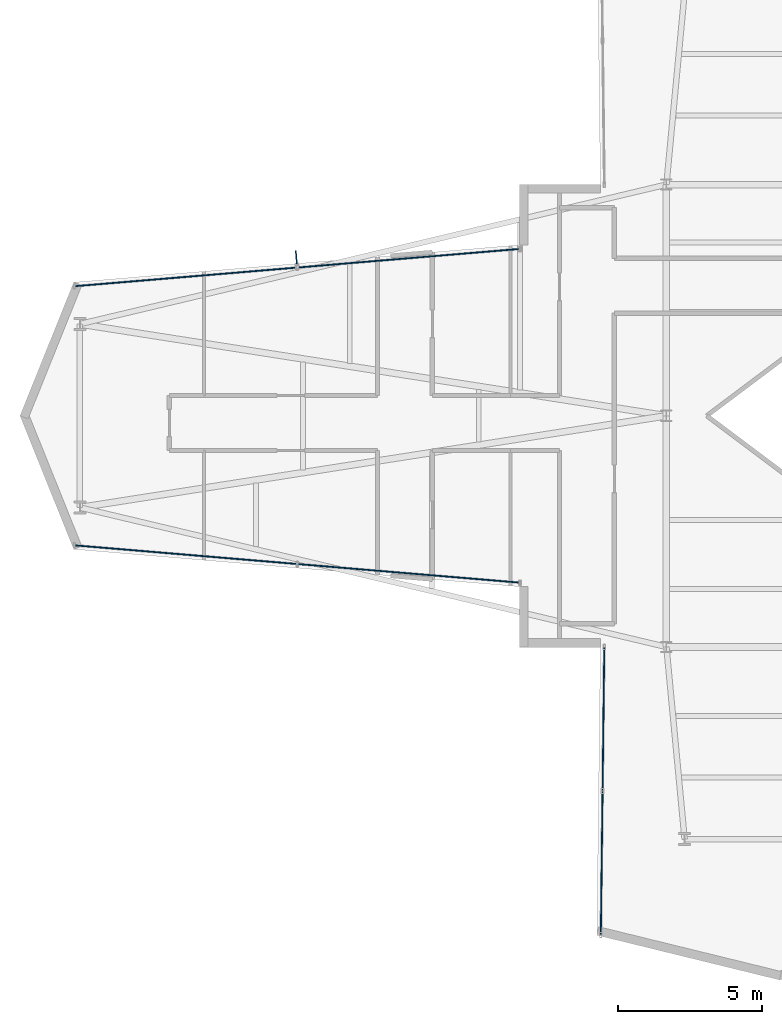
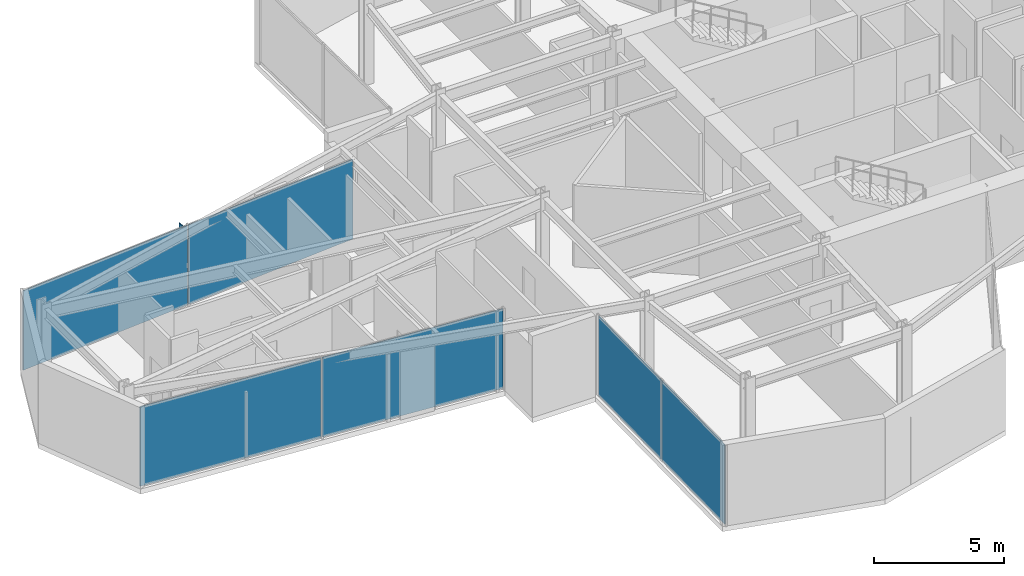
# One storey, part 20 of 26: 7 plates, 3 elements without a shape of their own.
"""IFC4 building model written with IfcOpenShell, lengths in metres."""

import ifcopenshell
import ifcopenshell.guid

model = None  # the IFC model being written
_history = None  # IfcOwnerHistory: only IFC2X3 demands one
_inside = {}  # id of a spatial element -> (the spatial element, [elements in it])
_under = {}  # id of a project, library or spatial element -> (it, [spatial elements below it])
_declared = {}  # id of a project -> (the project, [libraries it declares])
_typed = {}  # id of a type object -> (the type object, [elements of that type])
_made_of = {}  # id of a material, layer set ... -> (it, [elements and type objects made of it])


def new_model(schema):
    """Start an empty IFC model of exactly this schema.

    Asked for "IFC4X3", IfcOpenShell would pick the latest addendum, in which some entities
    have other attributes; the version numbers below select the first issue.
    IFC2X3 requires an IfcOwnerHistory on every rooted entity: one is made here for all.
    """
    global model, _history
    if schema == "IFC4X3":
        model = ifcopenshell.file(schema_version=(4, 3, 0, 0))
    else:
        model = ifcopenshell.file(schema=schema)
    _inside.clear()
    _under.clear()
    _declared.clear()
    _typed.clear()
    _made_of.clear()
    _history = None
    if model.schema == "IFC2X3":
        org = make("IfcOrganization", Name="unknown")
        user = make(
            "IfcPersonAndOrganization",
            ThePerson=make("IfcPerson", FamilyName="unknown"),
            TheOrganization=org,
        )
        app = make(
            "IfcApplication",
            ApplicationDeveloper=org,
            Version="unknown",
            ApplicationFullName="unknown",
            ApplicationIdentifier="unknown",
        )
        _history = make(
            "IfcOwnerHistory",
            OwningUser=user,
            OwningApplication=app,
            ChangeAction="ADDED",
            CreationDate=0,
        )
    return model


def make(cls, **values):
    """One entity of the class cls with the attributes given. An attribute that is None is left unset."""
    return model.create_entity(
        cls, **{name: value for name, value in values.items() if value is not None}
    )


def rooted(cls, **values):
    """An entity with a GlobalId (a new one), such as an element, a storey or a relation."""
    return make(cls, GlobalId=ifcopenshell.guid.new(), OwnerHistory=_history, **values)


def si_unit(unit_type, name, prefix=None):
    """IfcSIUnit, for example si_unit("LENGTHUNIT", "METRE", prefix="MILLI")."""
    return make("IfcSIUnit", UnitType=unit_type, Prefix=prefix, Name=name)


def assignment(units):
    """IfcUnitAssignment: the units of a project."""
    return None if units is None else make("IfcUnitAssignment", Units=units)


def point(xyz):
    """IfcCartesianPoint."""
    return None if xyz is None else make("IfcCartesianPoint", Coordinates=xyz)


def direction(xyz):
    """IfcDirection."""
    return None if xyz is None else make("IfcDirection", DirectionRatios=xyz)


def frame(location, z_axis=None, x_axis=None):
    """IfcAxis2Placement3D, a coordinate frame: its origin and axes. An axis left out is left unset."""
    return make(
        "IfcAxis2Placement3D",
        Location=point(location),
        Axis=direction(z_axis),
        RefDirection=direction(x_axis),
    )


def frame_2d(location, x_axis=None):
    """IfcAxis2Placement2D, a coordinate frame in the plane: its origin and x axis."""
    return make(
        "IfcAxis2Placement2D", Location=point(location), RefDirection=direction(x_axis)
    )


def origin():
    """The frame at (0, 0, 0) with its axes left unset."""
    return frame((0.0, 0.0, 0.0))


def origin_2d():
    """The frame at (0, 0) in the plane with its x axis left unset."""
    return frame_2d((0.0, 0.0))


def place(relative_to, where):
    """IfcLocalPlacement: puts the frame where relative to a parent placement (None: the world)."""
    return make(
        "IfcLocalPlacement", PlacementRelTo=relative_to, RelativePlacement=where
    )


def context(
    kind, dimensions, precision=None, world=None, true_north=None, identifier=None
):
    """IfcGeometricRepresentationContext, for example the 3D "Model" context."""
    return make(
        "IfcGeometricRepresentationContext",
        ContextIdentifier=identifier,
        ContextType=kind,
        CoordinateSpaceDimension=dimensions,
        Precision=precision,
        WorldCoordinateSystem=world,
        TrueNorth=true_north,
    )


def subcontext(parent, identifier, kind, view, scale=None):
    """IfcGeometricRepresentationSubContext, for example "Body" below "Model"."""
    return make(
        "IfcGeometricRepresentationSubContext",
        ContextIdentifier=identifier,
        ContextType=kind,
        ParentContext=parent,
        TargetScale=scale,
        TargetView=view,
    )


def project(units=None, contexts=None):
    """IfcProject with its units and contexts."""
    return rooted(
        "IfcProject",
        Name="project",
        RepresentationContexts=contexts,
        UnitsInContext=assignment(units),
    )


def spatial(cls, under=None, at=None, **own):
    """A site, building, storey or space (cls), placed at a placement, below another one or the project."""
    s = rooted(cls, ObjectPlacement=at, **own)
    if under is not None:
        _under.setdefault(under.id(), (under, []))[1].append(s)
    return s


def profile(cls, at=None, kind="AREA", **sizes):
    """A parametric profile (cls). Its sizes go by their IFC names, for example OverallWidth=200.0."""
    return make(cls, ProfileType=kind, Position=at, **sizes)


def rectangle(**sizes):
    """IfcRectangleProfileDef."""
    return profile("IfcRectangleProfileDef", **sizes)


def extrude(swept, where, along, depth):
    """IfcExtrudedAreaSolid: the profile swept, set in the frame where, extruded along a direction by depth."""
    return make(
        "IfcExtrudedAreaSolid",
        SweptArea=swept,
        Position=where,
        ExtrudedDirection=direction(along),
        Depth=depth,
    )


def shape(context_of_items, identifier, shape_type, items):
    """IfcShapeRepresentation: the items that make up one representation, for example the "Body"."""
    return make(
        "IfcShapeRepresentation",
        ContextOfItems=context_of_items,
        RepresentationIdentifier=identifier,
        RepresentationType=shape_type,
        Items=items,
    )


def material(Name=None, Category=None):
    """IfcMaterial."""
    return make("IfcMaterial", Name=Name, Category=Category)


def layer(
    of_material, thickness, ventilated=None, Name=None, Category=None, Priority=None
):
    """IfcMaterialLayer: one layer of a wall or slab, of a material (None: an air gap)."""
    return make(
        "IfcMaterialLayer",
        Material=of_material,
        LayerThickness=thickness,
        IsVentilated=ventilated,
        Name=Name,
        Category=Category,
        Priority=Priority,
    )


def layer_set(layers, Name=None):
    """IfcMaterialLayerSet."""
    return make("IfcMaterialLayerSet", MaterialLayers=layers, LayerSetName=Name)


def made_of(thing, what):
    """Note that an element or type object is made of a material, layer set ...; save() writes the relation."""
    if what is not None:
        _made_of.setdefault(what.id(), (what, []))[1].append(thing)
    return thing


def type_object(cls, material=None, **own):
    """A type object (cls), such as IfcWallType, which elements share."""
    return made_of(rooted(cls, **own), material)


def element(
    cls,
    number,
    at=None,
    inside=None,
    cuts=None,
    type_object=None,
    material=None,
    context=None,
    identifier="Body",
    shape_type=None,
    held_by="IfcProductDefinitionShape",
    body=None,
    shapes=None,
    **own,
):
    """One element of the class cls, such as IfcWall. Its Tag is "e" and its number.

    at: its placement. inside: the storey or other place that contains it. cuts: it is an
    opening in that element (IfcRelVoidsElement). A single representation is given by context,
    identifier, shape_type and body (its items); several are given by shapes. held_by: the class
    of the entity that holds the representations. save() writes the other relations.
    """
    e = rooted(cls, Tag="e%d" % number, ObjectPlacement=at, **own)
    if body is not None:
        shapes = [shape(context, identifier, shape_type, body)]
    if shapes is not None:
        e.Representation = make(held_by, Representations=shapes)
    if inside is not None:
        _inside.setdefault(inside.id(), (inside, []))[1].append(e)
    if cuts is not None:
        rooted(
            "IfcRelVoidsElement", RelatingBuildingElement=cuts, RelatedOpeningElement=e
        )
    if type_object is not None:
        _typed.setdefault(type_object.id(), (type_object, []))[1].append(e)
    return made_of(e, material)


def aggregate(whole, parts):
    """IfcRelAggregates: a whole, such as a stair, and the parts it consists of."""
    return rooted("IfcRelAggregates", RelatingObject=whole, RelatedObjects=parts)


def save(model, path):
    """Write the relations noted so far, then the file.

    IfcRelAggregates (storeys below a building ...), IfcRelContainedInSpatialStructure (elements
    in a storey), IfcRelDefinesByType, IfcRelAssociatesMaterial and IfcRelDeclares: one each for
    every whole, place, type object, material and project.
    """
    for whole, parts in _under.values():
        aggregate(whole, parts)
    for where, things in _inside.values():
        rooted(
            "IfcRelContainedInSpatialStructure",
            RelatedElements=things,
            RelatingStructure=where,
        )
    for kind, things in _typed.values():
        rooted("IfcRelDefinesByType", RelatedObjects=things, RelatingType=kind)
    for what, things in _made_of.values():
        rooted("IfcRelAssociatesMaterial", RelatedObjects=things, RelatingMaterial=what)
    for by, libraries in _declared.values():
        rooted("IfcRelDeclares", RelatingContext=by, RelatedDefinitions=libraries)
    model.write(path)


model = new_model("IFC4")

# Units and contexts
model_context = context("Model", 3, precision=1e-05, world=origin(), true_north=direction((0.0, 1.0)))
body_context = subcontext(model_context, "Body", "Model", "MODEL_VIEW")
ifc_project = project(units=[si_unit("LENGTHUNIT", "METRE"), si_unit("AREAUNIT", "SQUARE_METRE"), si_unit("VOLUMEUNIT", "CUBIC_METRE"), si_unit("PLANEANGLEUNIT", "RADIAN"), si_unit("MASSUNIT", "GRAM", prefix="KILO")], contexts=[model_context])

# Site, building, storey
site_placement = place(None, origin())
site = spatial("IfcSite", under=ifc_project, at=site_placement, CompositionType="ELEMENT")
building_placement = place(site_placement, origin())
building = spatial("IfcBuilding", under=site, at=building_placement, Name="Veymaron Broadcast Tower", CompositionType="ELEMENT")
storey_placement = place(building_placement, frame((0.0, 0.0, 133.050048828125)))
storey = spatial("IfcBuildingStorey", under=building, at=storey_placement, Name="L30", CompositionType="ELEMENT", Elevation=133.050048828125)

# Curtain wall, plates
ifc_material_1 = material(Name="Anodised aluminium AA 6063-T6 and laminated low-E dark glass", Category="aluminium")
ifc_layer_1 = layer(ifc_material_1, 0.179931640625)
ifc_layer_set_1 = layer_set([ifc_layer_1], Name="Anodised aluminium AA 6063-T6 and laminated low-E dark glass")
curtain_wall_type = type_object("IfcCurtainWallType", Name="CW-SYS-03", PredefinedType="NOTDEFINED", material=ifc_layer_set_1)
curtain_wall_1_placement = place(storey_placement, origin())
curtain_wall_1 = element("IfcCurtainWall", 1, at=curtain_wall_1_placement, inside=storey, type_object=curtain_wall_type, Name="L30 dark-glass curtain wall CW-L30-E11-1", PredefinedType="NOTDEFINED")
ifc_material_2 = material(Name="Insulated dark-anodised aluminium spandrel panel 40 mm", Category="aluminium")
ifc_layer_2 = layer(ifc_material_2, 0.0400390625)
ifc_layer_set_2 = layer_set([ifc_layer_2], Name="Insulated dark-anodised aluminium spandrel panel 40 mm")
plate_type_1 = type_object("IfcPlateType", Name="CW-PNL-03", PredefinedType="CURTAIN_PANEL", material=ifc_layer_set_2)
plate_1_placement = place(storey_placement, frame((22.276611328125, 29.45166015625, 0.0400390625), z_axis=(0.0, 0.0, 1.0), x_axis=(-0.996507448611, -0.083503921245, 0.0)))
plate_1 = element("IfcPlate", 2, at=plate_1_placement, type_object=plate_type_1, Name="CW-L30-E11-1 unitised curtain panel 0", PredefinedType="CURTAIN_PANEL", context=body_context, shape_type="SweptSolid", body=[
    extrude(rectangle(XDim=7.677001953125, YDim=0.0400390625, at=origin_2d()), origin(), (0.0, 0.0, 1.0), 3.72998046875),
])
plate_2_placement = place(storey_placement, frame((14.566650390625, 28.8056640625, 0.0400390625), z_axis=(0.0, 0.0, 1.0), x_axis=(-0.996507448611, -0.083503921245, 0.0)))
plate_2 = element("IfcPlate", 3, at=plate_2_placement, type_object=plate_type_1, Name="CW-L30-E11-1 unitised curtain panel 1", PredefinedType="CURTAIN_PANEL", context=body_context, shape_type="SweptSolid", body=[
    extrude(rectangle(XDim=7.677001953125, YDim=0.0400390625, at=origin_2d()), origin(), (0.0, 0.0, 1.0), 3.72998046875),
])
aggregate(curtain_wall_1, [plate_1, plate_2])

curtain_wall_2_placement = place(storey_placement, origin())
curtain_wall_2 = element("IfcCurtainWall", 4, at=curtain_wall_2_placement, inside=storey, type_object=curtain_wall_type, Name="L30 dark-glass curtain wall CW-L30-E14-1", PredefinedType="NOTDEFINED")
plate_3_placement = place(storey_placement, frame((14.566650390625, 19.1943359375, 0.0400390625), z_axis=(0.0, 0.0, 1.0), x_axis=(0.996507448611, -0.083503921245, 0.0)))
plate_3 = element("IfcPlate", 5, at=plate_3_placement, type_object=plate_type_1, Name="CW-L30-E14-1 unitised curtain panel 0", PredefinedType="CURTAIN_PANEL", context=body_context, shape_type="SweptSolid", body=[
    extrude(rectangle(XDim=7.677001953125, YDim=0.0400390625, at=origin_2d()), origin(), (0.0, 0.0, 1.0), 3.72998046875),
])
plate_4_placement = place(storey_placement, frame((22.276611328125, 18.54833984375, 0.0400390625), z_axis=(0.0, 0.0, 1.0), x_axis=(0.996507448611, -0.083503921245, 0.0)))
plate_4 = element("IfcPlate", 6, at=plate_4_placement, type_object=plate_type_1, Name="CW-L30-E14-1 unitised curtain panel 1", PredefinedType="CURTAIN_PANEL", context=body_context, shape_type="SweptSolid", body=[
    extrude(rectangle(XDim=7.677001953125, YDim=0.0400390625, at=origin_2d()), origin(), (0.0, 0.0, 1.0), 3.72998046875),
])
aggregate(curtain_wall_2, [plate_3, plate_4])

curtain_wall_3_placement = place(storey_placement, origin())
curtain_wall_3 = element("IfcCurtainWall", 7, at=curtain_wall_3_placement, inside=storey, type_object=curtain_wall_type, Name="L30 dark-glass curtain wall CW-L30-E17-1", PredefinedType="NOTDEFINED")
plate_5_placement = place(storey_placement, frame((29.020263671875, 13.507080078125, 0.0400390625), z_axis=(0.0, 0.0, 1.0), x_axis=(-0.012077384797, -0.999927065729, 0.0)))
plate_5 = element("IfcPlate", 8, at=plate_5_placement, type_object=plate_type_1, Name="CW-L30-E17-1 unitised curtain panel 0", PredefinedType="CURTAIN_PANEL", context=body_context, shape_type="SweptSolid", body=[
    extrude(rectangle(XDim=4.9228515625, YDim=0.0400390625, at=origin_2d()), origin(), (0.0, 0.0, 1.0), 3.72998046875),
])
plate_6_placement = place(storey_placement, frame((28.960205078125, 8.524658203125, 0.0400390625), z_axis=(0.0, 0.0, 1.0), x_axis=(-0.012077384797, -0.999927065729, 0.0)))
plate_6 = element("IfcPlate", 9, at=plate_6_placement, type_object=plate_type_1, Name="CW-L30-E17-1 unitised curtain panel 1", PredefinedType="CURTAIN_PANEL", context=body_context, shape_type="SweptSolid", body=[
    extrude(rectangle(XDim=4.9228515625, YDim=0.0400390625, at=origin_2d()), origin(), (0.0, 0.0, 1.0), 3.72998046875),
])
aggregate(curtain_wall_3, [plate_5, plate_6])

# Plate
ifc_material_3 = material(Name="Dark-anodised aluminium AA 6061-T6", Category="aluminium")
ifc_layer_3 = layer(ifc_material_3, 0.034912109375)
ifc_layer_set_3 = layer_set([ifc_layer_3], Name="Dark-anodised aluminium AA 6061-T6")
plate_type_2 = type_object("IfcPlateType", Name="FIN-CHEV-01", PredefinedType="USERDEFINED", material=ifc_layer_set_3)
plate_7_placement = place(storey_placement, frame((18.39208984375, 29.482421875, 0.2666015625), z_axis=(0.0, 0.0, 1.0), x_axis=(-0.083503921245, 0.996507448611, 0.0)))
element("IfcPlate", 10, at=plate_7_placement, inside=storey, type_object=plate_type_2, Name="CW-L30-E11-1 chevron fin 1", ObjectType="FIN", PredefinedType="USERDEFINED", context=body_context, shape_type="SweptSolid", body=[
    extrude(rectangle(XDim=0.449951171875, YDim=0.034912109375, at=origin_2d()), origin(), (0.0, 0.0, 1.0), 3.276611328125),
])

save(model, "model.ifc")
